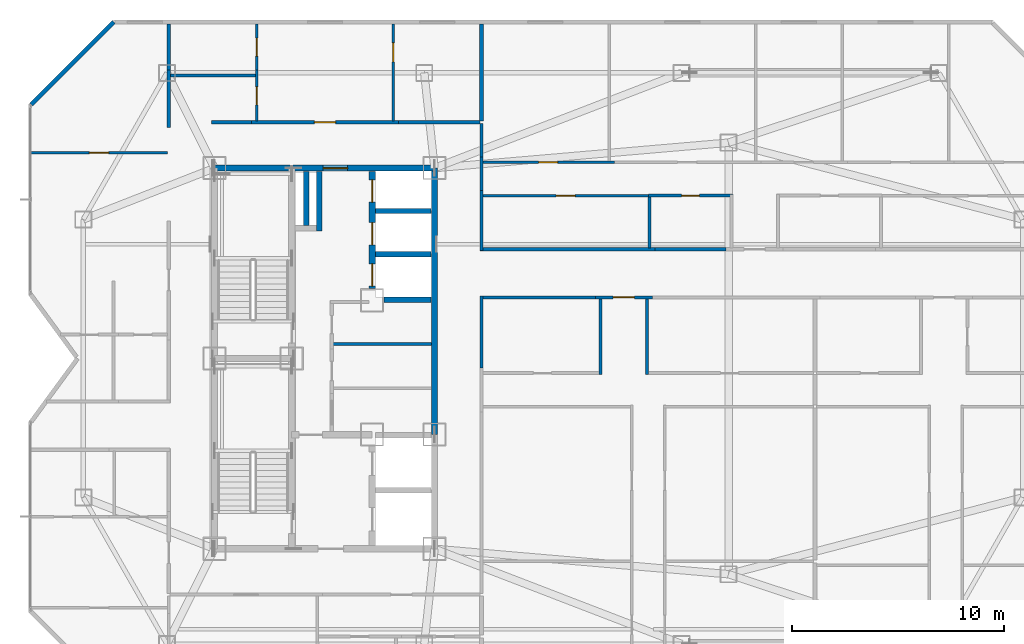
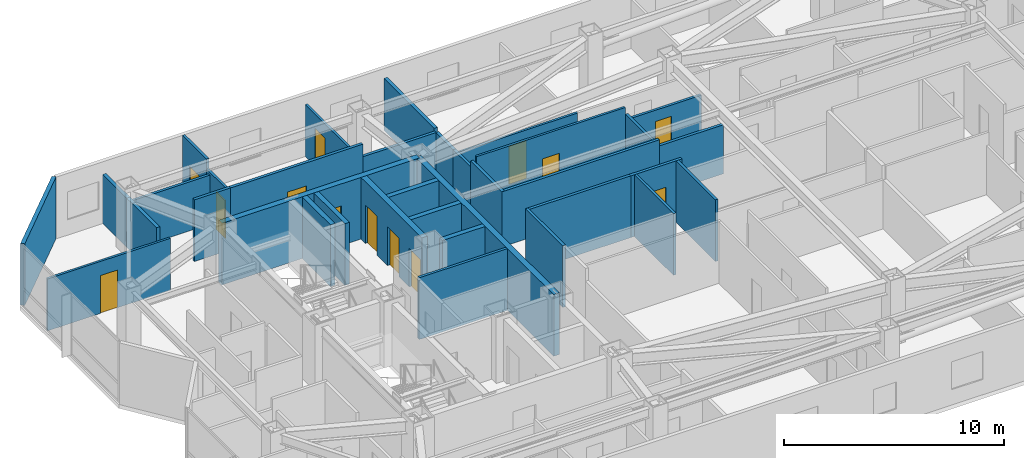
# One storey, part 12 of 15: 35 walls, 13 doors, 13 openings.
"""IFC4 building model written with IfcOpenShell, lengths in metres."""

import ifcopenshell
import ifcopenshell.guid

model = None  # the IFC model being written
_history = None  # IfcOwnerHistory: only IFC2X3 demands one
_inside = {}  # id of a spatial element -> (the spatial element, [elements in it])
_under = {}  # id of a project, library or spatial element -> (it, [spatial elements below it])
_declared = {}  # id of a project -> (the project, [libraries it declares])
_typed = {}  # id of a type object -> (the type object, [elements of that type])
_made_of = {}  # id of a material, layer set ... -> (it, [elements and type objects made of it])


def new_model(schema):
    """Start an empty IFC model of exactly this schema.

    Asked for "IFC4X3", IfcOpenShell would pick the latest addendum, in which some entities
    have other attributes; the version numbers below select the first issue.
    IFC2X3 requires an IfcOwnerHistory on every rooted entity: one is made here for all.
    """
    global model, _history
    if schema == "IFC4X3":
        model = ifcopenshell.file(schema_version=(4, 3, 0, 0))
    else:
        model = ifcopenshell.file(schema=schema)
    _inside.clear()
    _under.clear()
    _declared.clear()
    _typed.clear()
    _made_of.clear()
    _history = None
    if model.schema == "IFC2X3":
        org = make("IfcOrganization", Name="unknown")
        user = make(
            "IfcPersonAndOrganization",
            ThePerson=make("IfcPerson", FamilyName="unknown"),
            TheOrganization=org,
        )
        app = make(
            "IfcApplication",
            ApplicationDeveloper=org,
            Version="unknown",
            ApplicationFullName="unknown",
            ApplicationIdentifier="unknown",
        )
        _history = make(
            "IfcOwnerHistory",
            OwningUser=user,
            OwningApplication=app,
            ChangeAction="ADDED",
            CreationDate=0,
        )
    return model


def make(cls, **values):
    """One entity of the class cls with the attributes given. An attribute that is None is left unset."""
    return model.create_entity(
        cls, **{name: value for name, value in values.items() if value is not None}
    )


def rooted(cls, **values):
    """An entity with a GlobalId (a new one), such as an element, a storey or a relation."""
    return make(cls, GlobalId=ifcopenshell.guid.new(), OwnerHistory=_history, **values)


def si_unit(unit_type, name, prefix=None):
    """IfcSIUnit, for example si_unit("LENGTHUNIT", "METRE", prefix="MILLI")."""
    return make("IfcSIUnit", UnitType=unit_type, Prefix=prefix, Name=name)


def assignment(units):
    """IfcUnitAssignment: the units of a project."""
    return None if units is None else make("IfcUnitAssignment", Units=units)


def point(xyz):
    """IfcCartesianPoint."""
    return None if xyz is None else make("IfcCartesianPoint", Coordinates=xyz)


def direction(xyz):
    """IfcDirection."""
    return None if xyz is None else make("IfcDirection", DirectionRatios=xyz)


def frame(location, z_axis=None, x_axis=None):
    """IfcAxis2Placement3D, a coordinate frame: its origin and axes. An axis left out is left unset."""
    return make(
        "IfcAxis2Placement3D",
        Location=point(location),
        Axis=direction(z_axis),
        RefDirection=direction(x_axis),
    )


def frame_2d(location, x_axis=None):
    """IfcAxis2Placement2D, a coordinate frame in the plane: its origin and x axis."""
    return make(
        "IfcAxis2Placement2D", Location=point(location), RefDirection=direction(x_axis)
    )


def origin():
    """The frame at (0, 0, 0) with its axes left unset."""
    return frame((0.0, 0.0, 0.0))


def place(relative_to, where):
    """IfcLocalPlacement: puts the frame where relative to a parent placement (None: the world)."""
    return make(
        "IfcLocalPlacement", PlacementRelTo=relative_to, RelativePlacement=where
    )


def context(
    kind, dimensions, precision=None, world=None, true_north=None, identifier=None
):
    """IfcGeometricRepresentationContext, for example the 3D "Model" context."""
    return make(
        "IfcGeometricRepresentationContext",
        ContextIdentifier=identifier,
        ContextType=kind,
        CoordinateSpaceDimension=dimensions,
        Precision=precision,
        WorldCoordinateSystem=world,
        TrueNorth=true_north,
    )


def subcontext(parent, identifier, kind, view, scale=None):
    """IfcGeometricRepresentationSubContext, for example "Body" below "Model"."""
    return make(
        "IfcGeometricRepresentationSubContext",
        ContextIdentifier=identifier,
        ContextType=kind,
        ParentContext=parent,
        TargetScale=scale,
        TargetView=view,
    )


def project(units=None, contexts=None):
    """IfcProject with its units and contexts."""
    return rooted(
        "IfcProject",
        Name="project",
        RepresentationContexts=contexts,
        UnitsInContext=assignment(units),
    )


def spatial(cls, under=None, at=None, **own):
    """A site, building, storey or space (cls), placed at a placement, below another one or the project."""
    s = rooted(cls, ObjectPlacement=at, **own)
    if under is not None:
        _under.setdefault(under.id(), (under, []))[1].append(s)
    return s


def profile(cls, at=None, kind="AREA", **sizes):
    """A parametric profile (cls). Its sizes go by their IFC names, for example OverallWidth=200.0."""
    return make(cls, ProfileType=kind, Position=at, **sizes)


def rectangle(**sizes):
    """IfcRectangleProfileDef."""
    return profile("IfcRectangleProfileDef", **sizes)


def extrude(swept, where, along, depth):
    """IfcExtrudedAreaSolid: the profile swept, set in the frame where, extruded along a direction by depth."""
    return make(
        "IfcExtrudedAreaSolid",
        SweptArea=swept,
        Position=where,
        ExtrudedDirection=direction(along),
        Depth=depth,
    )


def shape(context_of_items, identifier, shape_type, items):
    """IfcShapeRepresentation: the items that make up one representation, for example the "Body"."""
    return make(
        "IfcShapeRepresentation",
        ContextOfItems=context_of_items,
        RepresentationIdentifier=identifier,
        RepresentationType=shape_type,
        Items=items,
    )


def material(Name=None, Category=None):
    """IfcMaterial."""
    return make("IfcMaterial", Name=Name, Category=Category)


def layer(
    of_material, thickness, ventilated=None, Name=None, Category=None, Priority=None
):
    """IfcMaterialLayer: one layer of a wall or slab, of a material (None: an air gap)."""
    return make(
        "IfcMaterialLayer",
        Material=of_material,
        LayerThickness=thickness,
        IsVentilated=ventilated,
        Name=Name,
        Category=Category,
        Priority=Priority,
    )


def layer_set(layers, Name=None):
    """IfcMaterialLayerSet."""
    return make("IfcMaterialLayerSet", MaterialLayers=layers, LayerSetName=Name)


def made_of(thing, what):
    """Note that an element or type object is made of a material, layer set ...; save() writes the relation."""
    if what is not None:
        _made_of.setdefault(what.id(), (what, []))[1].append(thing)
    return thing


def type_object(cls, material=None, **own):
    """A type object (cls), such as IfcWallType, which elements share."""
    return made_of(rooted(cls, **own), material)


def element(
    cls,
    number,
    at=None,
    inside=None,
    cuts=None,
    type_object=None,
    material=None,
    context=None,
    identifier="Body",
    shape_type=None,
    held_by="IfcProductDefinitionShape",
    body=None,
    shapes=None,
    **own,
):
    """One element of the class cls, such as IfcWall. Its Tag is "e" and its number.

    at: its placement. inside: the storey or other place that contains it. cuts: it is an
    opening in that element (IfcRelVoidsElement). A single representation is given by context,
    identifier, shape_type and body (its items); several are given by shapes. held_by: the class
    of the entity that holds the representations. save() writes the other relations.
    """
    e = rooted(cls, Tag="e%d" % number, ObjectPlacement=at, **own)
    if body is not None:
        shapes = [shape(context, identifier, shape_type, body)]
    if shapes is not None:
        e.Representation = make(held_by, Representations=shapes)
    if inside is not None:
        _inside.setdefault(inside.id(), (inside, []))[1].append(e)
    if cuts is not None:
        rooted(
            "IfcRelVoidsElement", RelatingBuildingElement=cuts, RelatedOpeningElement=e
        )
    if type_object is not None:
        _typed.setdefault(type_object.id(), (type_object, []))[1].append(e)
    return made_of(e, material)


def fill(opening, filler):
    """IfcRelFillsElement: the door or window that sits in an opening."""
    return rooted(
        "IfcRelFillsElement",
        RelatingOpeningElement=opening,
        RelatedBuildingElement=filler,
    )


def aggregate(whole, parts):
    """IfcRelAggregates: a whole, such as a stair, and the parts it consists of."""
    return rooted("IfcRelAggregates", RelatingObject=whole, RelatedObjects=parts)


def save(model, path):
    """Write the relations noted so far, then the file.

    IfcRelAggregates (storeys below a building ...), IfcRelContainedInSpatialStructure (elements
    in a storey), IfcRelDefinesByType, IfcRelAssociatesMaterial and IfcRelDeclares: one each for
    every whole, place, type object, material and project.
    """
    for whole, parts in _under.values():
        aggregate(whole, parts)
    for where, things in _inside.values():
        rooted(
            "IfcRelContainedInSpatialStructure",
            RelatedElements=things,
            RelatingStructure=where,
        )
    for kind, things in _typed.values():
        rooted("IfcRelDefinesByType", RelatedObjects=things, RelatingType=kind)
    for what, things in _made_of.values():
        rooted("IfcRelAssociatesMaterial", RelatedObjects=things, RelatingMaterial=what)
    for by, libraries in _declared.values():
        rooted("IfcRelDeclares", RelatingContext=by, RelatedDefinitions=libraries)
    model.write(path)


model = new_model("IFC4")

# Units and contexts
model_context = context("Model", 3, precision=1e-05, world=origin(), true_north=direction((0.0, 1.0)))
body_context = subcontext(model_context, "Body", "Model", "MODEL_VIEW")
ifc_project = project(units=[si_unit("LENGTHUNIT", "METRE"), si_unit("AREAUNIT", "SQUARE_METRE"), si_unit("VOLUMEUNIT", "CUBIC_METRE"), si_unit("PLANEANGLEUNIT", "RADIAN"), si_unit("MASSUNIT", "GRAM", prefix="KILO")], contexts=[model_context])

# Site, building, storey
site_placement = place(None, origin())
site = spatial("IfcSite", under=ifc_project, at=site_placement, CompositionType="ELEMENT")
building_placement = place(site_placement, origin())
building = spatial("IfcBuilding", under=site, at=building_placement, Name="Khamvora Tower", CompositionType="ELEMENT")
storey_placement = place(building_placement, frame((0.0, 0.0, 220.85009765625)))
storey = spatial("IfcBuildingStorey", under=building, at=storey_placement, Name="L56", CompositionType="ELEMENT", Elevation=220.85009765625)

# Wall, opening, door
ifc_material_1 = material(Name="Concrete C50/60", Category="concrete")
ifc_layer_1 = layer(ifc_material_1, 0.300048828125)
ifc_layer_set_1 = layer_set([ifc_layer_1], Name="Concrete C50/60")
wall_type_1 = type_object("IfcWallType", Name="WAL-CORE-300", PredefinedType="SHEAR", material=ifc_layer_set_1)
wall_1_placement = place(storey_placement, frame((29.0, 37.0, 0.0), z_axis=(0.0, 0.0, 1.0), x_axis=(1.0, 0.0, 0.0)))
wall_1 = element("IfcWall", 1, at=wall_1_placement, inside=storey, type_object=wall_type_1, Name="L56 central core north wall", PredefinedType="SHEAR", context=body_context, shape_type="SweptSolid", body=[
    extrude(rectangle(XDim=10.39990234375, YDim=0.300048828125, at=frame_2d((5.199951171875, 0.0))), origin(), (0.0, 0.0, 1.0), 3.429931640625),
])
opening_1_placement = place(wall_1_placement, frame((5.139892578125, 0.0, 0.0)))
opening_1 = element("IfcOpeningElement", 2, at=opening_1_placement, cuts=wall_1, Name="Opening D-SC1", PredefinedType="OPENING", context=body_context, shape_type="SweptSolid", body=[
    extrude(rectangle(XDim=1.14990234375, YDim=2.199951171875, at=frame_2d((0.574951171875, 1.10009765625))), frame((0.0, 0.159912109375, 0.0), z_axis=(0.0, -1.0, 0.0), x_axis=(1.0, 0.0, 0.0)), (0.0, 0.0, 1.0), 0.320068359375),
])
ifc_material_2 = material(Name="Powder-Coated Steel and Hardwood Leaf", Category="steel")
door_type_1 = type_object("IfcDoorType", Name="DOR-SCHL-1150", OperationType="NOTDEFINED", PredefinedType="DOOR", material=ifc_material_2)
door_1_placement = place(opening_1_placement, origin())
door_1 = element("IfcDoor", 3, at=door_1_placement, inside=storey, type_object=door_type_1, Name="L56 north core lobby to corridor fire door", OperationType="SINGLE_SWING_LEFT", OverallHeight=2.199951171875, OverallWidth=1.14990234375, PredefinedType="DOOR", context=body_context, shape_type="SweptSolid", body=[
    extrude(rectangle(XDim=1.14990234375, YDim=2.199951171875, at=frame_2d((0.574951171875, 1.10009765625))), frame((0.0, 0.02490234375, 0.0), z_axis=(0.0, -1.0, 0.0), x_axis=(1.0, 0.0, 0.0)), (0.0, 0.0, 1.0), 0.050048828125),
])
fill(opening_1, door_1)

# Wall
wall_2_placement = place(storey_placement, frame((39.39990234375, 24.39990234375, 0.0), z_axis=(0.0, 0.0, 1.0), x_axis=(0.0, 1.0, 0.0)))
element("IfcWall", 4, at=wall_2_placement, inside=storey, type_object=wall_type_1, Name="L56 central core east north wall", PredefinedType="SHEAR", context=body_context, shape_type="SweptSolid", body=[
    extrude(rectangle(XDim=12.60009765625, YDim=0.300048828125, at=frame_2d((6.300048828125, 0.0))), origin(), (0.0, 0.0, 1.0), 3.429931640625),
])

# Wall, openings, doors
wall_3_placement = place(storey_placement, frame((36.449951171875, 31.300048828125, 0.0), z_axis=(0.0, 0.0, 1.0), x_axis=(0.0, 1.0, 0.0)))
wall_3 = element("IfcWall", 5, at=wall_3_placement, inside=storey, type_object=wall_type_1, Name="L56 central core lift bank central wall", PredefinedType="SHEAR", context=body_context, shape_type="SweptSolid", body=[
    extrude(rectangle(XDim=5.5458984375, YDim=0.300048828125, at=frame_2d((2.77294921875, 0.0))), origin(), (0.0, 0.0, 1.0), 3.429931640625),
])
opening_2_placement = place(wall_3_placement, frame((0.1201171875, 0.0, 0.0)))
opening_2 = element("IfcOpeningElement", 6, at=opening_2_placement, cuts=wall_3, Name="Opening LD-PL", PredefinedType="OPENING", context=body_context, shape_type="SweptSolid", body=[
    extrude(rectangle(XDim=1.050048828125, YDim=2.14990234375, at=frame_2d((0.52490234375, 1.074951171875))), frame((0.0, 0.159912109375, 0.0), z_axis=(0.0, -1.0, 0.0), x_axis=(1.0, 0.0, 0.0)), (0.0, 0.0, 1.0), 0.320068359375),
])
opening_3_placement = place(wall_3_placement, frame((2.074951171875, 0.0, 0.0)))
opening_3 = element("IfcOpeningElement", 7, at=opening_3_placement, cuts=wall_3, Name="Opening LD-PL", PredefinedType="OPENING", context=body_context, shape_type="SweptSolid", body=[
    extrude(rectangle(XDim=1.050048828125, YDim=2.14990234375, at=frame_2d((0.52490234375, 1.074951171875))), frame((0.0, 0.159912109375, 0.0), z_axis=(0.0, -1.0, 0.0), x_axis=(1.0, 0.0, 0.0)), (0.0, 0.0, 1.0), 0.320068359375),
])
opening_4_placement = place(wall_3_placement, frame((4.094970703125, 0.0, 0.0)))
opening_4 = element("IfcOpeningElement", 8, at=opening_4_placement, cuts=wall_3, Name="Opening LD-PL", PredefinedType="OPENING", context=body_context, shape_type="SweptSolid", body=[
    extrude(rectangle(XDim=1.050048828125, YDim=2.14990234375, at=frame_2d((0.52490234375, 1.074951171875))), frame((0.0, 0.159912109375, 0.0), z_axis=(0.0, -1.0, 0.0), x_axis=(1.0, 0.0, 0.0)), (0.0, 0.0, 1.0), 0.320068359375),
])
door_type_2 = type_object("IfcDoorType", Name="DOR-LIFT-1050", OperationType="SLIDING_TO_LEFT", PredefinedType="DOOR", material=ifc_material_2)
door_2_placement = place(opening_2_placement, origin())
door_2 = element("IfcDoor", 9, at=door_2_placement, inside=storey, type_object=door_type_2, Name="L56 lift landing sliding door PH-01", OperationType="SLIDING_TO_LEFT", OverallHeight=2.14990234375, OverallWidth=1.050048828125, PredefinedType="DOOR", context=body_context, shape_type="SweptSolid", body=[
    extrude(rectangle(XDim=1.050048828125, YDim=2.14990234375, at=frame_2d((0.52490234375, 1.074951171875))), frame((0.0, 0.02490234375, 0.0), z_axis=(0.0, -1.0, 0.0), x_axis=(1.0, 0.0, 0.0)), (0.0, 0.0, 1.0), 0.050048828125),
])
fill(opening_2, door_2)
door_3_placement = place(opening_3_placement, origin())
door_3 = element("IfcDoor", 10, at=door_3_placement, inside=storey, type_object=door_type_2, Name="L56 lift landing sliding door PH-02", OperationType="SLIDING_TO_LEFT", OverallHeight=2.14990234375, OverallWidth=1.050048828125, PredefinedType="DOOR", context=body_context, shape_type="SweptSolid", body=[
    extrude(rectangle(XDim=1.050048828125, YDim=2.14990234375, at=frame_2d((0.52490234375, 1.074951171875))), frame((0.0, 0.02490234375, 0.0), z_axis=(0.0, -1.0, 0.0), x_axis=(1.0, 0.0, 0.0)), (0.0, 0.0, 1.0), 0.050048828125),
])
fill(opening_3, door_3)
door_4_placement = place(opening_4_placement, origin())
door_4 = element("IfcDoor", 11, at=door_4_placement, inside=storey, type_object=door_type_2, Name="L56 lift landing sliding door PH-03", OperationType="SLIDING_TO_LEFT", OverallHeight=2.14990234375, OverallWidth=1.050048828125, PredefinedType="DOOR", context=body_context, shape_type="SweptSolid", body=[
    extrude(rectangle(XDim=1.050048828125, YDim=2.14990234375, at=frame_2d((0.52490234375, 1.074951171875))), frame((0.0, 0.02490234375, 0.0), z_axis=(0.0, -1.0, 0.0), x_axis=(1.0, 0.0, 0.0)), (0.0, 0.0, 1.0), 0.050048828125),
])
fill(opening_4, door_4)

# Wall, opening, door
ifc_material_3 = material(Name="Fire-Rated Drywall and Steel Stud", Category="steel")
ifc_layer_2 = layer(ifc_material_3, 0.14990234375)
ifc_layer_set_2 = layer_set([ifc_layer_2], Name="Fire-Rated Drywall and Steel Stud")
wall_type_2 = type_object("IfcWallType", Name="WAL-CORR-150", PredefinedType="STANDARD", material=ifc_layer_set_2)
wall_4_placement = place(storey_placement, frame((30.7509765625, 39.1650390625, 0.0), z_axis=(0.0, 0.0, 1.0), x_axis=(1.0, 0.0, 0.0)))
wall_4 = element("IfcWall", 12, at=wall_4_placement, inside=storey, type_object=wall_type_2, Name="L56 interior partition wall 017", PredefinedType="STANDARD", context=body_context, shape_type="SweptSolid", body=[
    extrude(rectangle(XDim=6.947998046875, YDim=0.14990234375, at=frame_2d((3.47412109375, 0.0))), origin(), (0.0, 0.0, 1.0), 3.429931640625),
])
opening_5_placement = place(wall_4_placement, frame((2.97412109375, 0.0, 0.0)))
opening_5 = element("IfcOpeningElement", 13, at=opening_5_placement, cuts=wall_4, Name="Opening D-U1", PredefinedType="OPENING", context=body_context, shape_type="SweptSolid", body=[
    extrude(rectangle(XDim=1.0, YDim=2.14990234375, at=frame_2d((0.5, 1.074951171875))), frame((0.0, 0.0849609375, 0.0), z_axis=(0.0, -1.0, 0.0), x_axis=(1.0, 0.0, 0.0)), (0.0, 0.0, 1.0), 0.169921875),
])
door_type_3 = type_object("IfcDoorType", Name="DOR-UNIT-1000", OperationType="NOTDEFINED", PredefinedType="DOOR", material=ifc_material_2)
door_5_placement = place(opening_5_placement, origin())
door_5 = element("IfcDoor", 14, at=door_5_placement, inside=storey, type_object=door_type_3, Name="L56 interior door COR-56NAH", OperationType="SINGLE_SWING_LEFT", OverallHeight=2.14990234375, OverallWidth=1.0, PredefinedType="DOOR", context=body_context, shape_type="SweptSolid", body=[
    extrude(rectangle(XDim=1.0, YDim=2.14990234375, at=frame_2d((0.5, 1.074951171875))), frame((0.0, 0.02490234375, 0.0), z_axis=(0.0, -1.0, 0.0), x_axis=(1.0, 0.0, 0.0)), (0.0, 0.0, 1.0), 0.050048828125),
])
fill(opening_5, door_5)

# Walls
wall_5_placement = place(storey_placement, frame((28.85009765625, 39.1650390625, 0.0), z_axis=(0.0, 0.0, 1.0), x_axis=(1.0, 0.0, 0.0)))
element("IfcWall", 15, at=wall_5_placement, inside=storey, type_object=wall_type_2, Name="L56 interior partition wall 018", PredefinedType="STANDARD", context=body_context, shape_type="SweptSolid", body=[
    extrude(rectangle(XDim=1.90087890625, YDim=0.14990234375, at=frame_2d((0.950439453125, 0.0))), origin(), (0.0, 0.0, 1.0), 3.429931640625),
])
wall_6_placement = place(storey_placement, frame((37.698974609375, 39.1650390625, 0.0), z_axis=(0.0, 0.0, 1.0), x_axis=(1.0, 0.0, 0.0)))
element("IfcWall", 16, at=wall_6_placement, inside=storey, type_object=wall_type_2, Name="L56 interior partition wall 019", PredefinedType="STANDARD", context=body_context, shape_type="SweptSolid", body=[
    extrude(rectangle(XDim=3.85107421875, YDim=0.14990234375, at=frame_2d((1.925537109375, 0.0))), origin(), (0.0, 0.0, 1.0), 2.724853515625),
])

# Wall, opening, door
wall_7_placement = place(storey_placement, frame((49.698974609375, 30.885009765625, 0.0), z_axis=(0.0, 0.0, 1.0), x_axis=(-1.0, 0.0, 0.0)))
wall_7 = element("IfcWall", 17, at=wall_7_placement, inside=storey, type_object=wall_type_2, Name="L56 interior partition wall 020", PredefinedType="STANDARD", context=body_context, shape_type="SweptSolid", body=[
    extrude(rectangle(XDim=2.697998046875, YDim=0.14990234375, at=frame_2d((1.34912109375, 0.0))), origin(), (0.0, 0.0, 1.0), 3.429931640625),
])
opening_6_placement = place(wall_7_placement, frame((0.84912109375, 0.0, 0.0)))
opening_6 = element("IfcOpeningElement", 18, at=opening_6_placement, cuts=wall_7, Name="Opening D-U1", PredefinedType="OPENING", context=body_context, shape_type="SweptSolid", body=[
    extrude(rectangle(XDim=1.0, YDim=2.14990234375, at=frame_2d((0.5, 1.074951171875))), frame((0.0, 0.0849609375, 0.0), z_axis=(0.0, -1.0, 0.0), x_axis=(1.0, 0.0, 0.0)), (0.0, 0.0, 1.0), 0.169921875),
])
door_6_placement = place(opening_6_placement, origin())
door_6 = element("IfcDoor", 19, at=door_6_placement, inside=storey, type_object=door_type_3, Name="L56 interior door COR-56EAH", OperationType="SINGLE_SWING_RIGHT", OverallHeight=2.14990234375, OverallWidth=1.0, PredefinedType="DOOR", context=body_context, shape_type="SweptSolid", body=[
    extrude(rectangle(XDim=1.0, YDim=2.14990234375, at=frame_2d((0.5, 1.074951171875))), frame((0.0, 0.02490234375, 0.0), z_axis=(0.0, -1.0, 0.0), x_axis=(1.0, 0.0, 0.0)), (0.0, 0.0, 1.0), 0.050048828125),
])
fill(opening_6, door_6)

# Walls
wall_8_placement = place(storey_placement, frame((47.0009765625, 30.885009765625, 0.0), z_axis=(0.0, 0.0, 1.0), x_axis=(-1.0, 0.0, 0.0)))
element("IfcWall", 20, at=wall_8_placement, inside=storey, type_object=wall_type_2, Name="L56 interior partition wall 022", PredefinedType="STANDARD", context=body_context, shape_type="SweptSolid", body=[
    extrude(rectangle(XDim=5.450927734375, YDim=0.14990234375, at=frame_2d((2.7255859375, 0.0))), origin(), (0.0, 0.0, 1.0), 3.429931640625),
])
wall_9_placement = place(storey_placement, frame((41.614990234375, 30.947998046875, 0.0), z_axis=(0.0, 0.0, 1.0), x_axis=(0.0, -1.0, 0.0)))
element("IfcWall", 21, at=wall_9_placement, inside=storey, type_object=wall_type_2, Name="L56 interior partition wall 023", PredefinedType="STANDARD", context=body_context, shape_type="SweptSolid", body=[
    extrude(rectangle(XDim=3.39404296875, YDim=0.14990234375, at=frame_2d((1.697021484375, 0.0))), origin(), (0.0, 0.0, 1.0), 3.429931640625),
])
wall_10_placement = place(storey_placement, frame((41.614990234375, 35.944091796875, 0.0), z_axis=(0.0, 0.0, 1.0), x_axis=(0.0, -1.0, 0.0)))
element("IfcWall", 22, at=wall_10_placement, inside=storey, type_object=wall_type_2, Name="L56 interior partition wall 030", PredefinedType="STANDARD", context=body_context, shape_type="SweptSolid", body=[
    extrude(rectangle(XDim=2.843994140625, YDim=0.14990234375, at=frame_2d((1.421875, 0.0))), origin(), (0.0, 0.0, 1.0), 3.06494140625),
])
wall_11_placement = place(storey_placement, frame((41.550048828125, 33.1650390625, 0.0), z_axis=(0.0, 0.0, 1.0), x_axis=(1.0, 0.0, 0.0)))
element("IfcWall", 23, at=wall_11_placement, inside=storey, type_object=wall_type_2, Name="L56 interior partition wall 031", PredefinedType="STANDARD", context=body_context, shape_type="SweptSolid", body=[
    extrude(rectangle(XDim=8.26904296875, YDim=0.14990234375, at=frame_2d((4.134521484375, 0.0))), origin(), (0.0, 0.0, 1.0), 3.06494140625),
])
wall_12_placement = place(storey_placement, frame((41.614990234375, 37.52392578125, 0.0), z_axis=(0.0, 0.0, 1.0), x_axis=(0.0, -1.0, 0.0)))
element("IfcWall", 24, at=wall_12_placement, inside=storey, type_object=wall_type_2, Name="L56 interior partition wall 033", PredefinedType="STANDARD", context=body_context, shape_type="SweptSolid", body=[
    extrude(rectangle(XDim=1.579833984375, YDim=0.14990234375, at=frame_2d((0.7900390625, 0.0))), origin(), (0.0, 0.0, 1.0), 2.724853515625),
])
wall_13_placement = place(storey_placement, frame((49.819091796875, 33.1650390625, 0.0), z_axis=(0.0, 0.0, 1.0), x_axis=(1.0, 0.0, 0.0)))
element("IfcWall", 25, at=wall_13_placement, inside=storey, type_object=wall_type_2, Name="L56 interior partition wall 035", PredefinedType="STANDARD", context=body_context, shape_type="SweptSolid", body=[
    extrude(rectangle(XDim=3.366943359375, YDim=0.14990234375, at=frame_2d((1.68359375, 0.0))), origin(), (0.0, 0.0, 1.0), 2.724853515625),
])
wall_14_placement = place(storey_placement, frame((41.614990234375, 39.10009765625, 0.0), z_axis=(0.0, 0.0, 1.0), x_axis=(0.0, -1.0, 0.0)))
element("IfcWall", 26, at=wall_14_placement, inside=storey, type_object=wall_type_2, Name="L56 interior partition wall 037", PredefinedType="STANDARD", context=body_context, shape_type="SweptSolid", body=[
    extrude(rectangle(XDim=1.576171875, YDim=0.14990234375, at=frame_2d((0.7880859375, 0.0))), origin(), (0.0, 0.0, 1.0), 2.724853515625),
])
ifc_material_4 = material(Name="Acoustic Double-Stud Fire Wall", Category="gypsum")
ifc_layer_3 = layer(ifc_material_4, 0.179931640625)
ifc_layer_set_3 = layer_set([ifc_layer_3], Name="Acoustic Double-Stud Fire Wall")
wall_type_3 = type_object("IfcWallType", Name="WAL-CORR-180", PredefinedType="STANDARD", material=ifc_layer_set_3)
wall_15_placement = place(storey_placement, frame((26.8349609375, 41.62890625, 0.0), z_axis=(0.0, 0.0, 1.0), x_axis=(0.0, -1.0, 0.0)))
element("IfcWall", 27, at=wall_15_placement, inside=storey, type_object=wall_type_3, Name="L56 interior partition wall 050", PredefinedType="STANDARD", context=body_context, shape_type="SweptSolid", body=[
    extrude(rectangle(XDim=2.712890625, YDim=0.179931640625, at=frame_2d((1.3564453125, 0.0))), origin(), (0.0, 0.0, 1.0), 2.724853515625),
])
wall_16_placement = place(storey_placement, frame((26.8349609375, 43.80810546875, 0.0), z_axis=(0.0, 0.0, 1.0), x_axis=(0.0, -1.0, 0.0)))
element("IfcWall", 28, at=wall_16_placement, inside=storey, type_object=wall_type_3, Name="L56 interior partition wall 051", PredefinedType="STANDARD", context=body_context, shape_type="SweptSolid", body=[
    extrude(rectangle(XDim=2.17919921875, YDim=0.179931640625, at=frame_2d((1.089599609375, 0.0))), origin(), (0.0, 0.0, 1.0), 2.724853515625),
])
wall_17_placement = place(storey_placement, frame((41.614990234375, 43.80810546875, 0.0), z_axis=(0.0, 0.0, 1.0), x_axis=(0.0, -1.0, 0.0)))
element("IfcWall", 29, at=wall_17_placement, inside=storey, type_object=wall_type_3, Name="L56 interior partition wall 061", PredefinedType="STANDARD", context=body_context, shape_type="SweptSolid", body=[
    extrude(rectangle(XDim=4.578125, YDim=0.179931640625, at=frame_2d((2.2890625, 0.0))), origin(), (0.0, 0.0, 1.0), 2.886962890625),
])
ifc_material_5 = material(Name="Precast concrete C40/50", Category="concrete")
ifc_layer_4 = layer(ifc_material_5, 0.199951171875)
ifc_layer_set_4 = layer_set([ifc_layer_4], Name="Precast concrete C40/50")
wall_type_4 = type_object("IfcWallType", Name="WAL-EXT-200", PredefinedType="STANDARD", material=ifc_layer_set_4)
wall_18_placement = place(storey_placement, frame((20.343994140625, 40.0029296875, 0.0), z_axis=(0.0, 0.0, 1.0), x_axis=(0.707106781187, 0.707106781187, 0.0)))
element("IfcWall", 30, at=wall_18_placement, inside=storey, type_object=wall_type_4, Name="L56 exterior facade wall 06.1", PredefinedType="STANDARD", context=body_context, shape_type="SweptSolid", body=[
    extrude(rectangle(XDim=5.51123046875, YDim=0.199951171875, at=frame_2d((2.755615234375, 0.0))), origin(), (0.0, 0.0, 1.0), 3.429931640625),
])

# Wall, opening, door
ifc_material_6 = material(Name="Gypsum Plasterboard Partition", Category="gypsum")
ifc_layer_5 = layer(ifc_material_6, 0.1201171875)
ifc_layer_set_5 = layer_set([ifc_layer_5], Name="Gypsum Plasterboard Partition")
wall_type_5 = type_object("IfcWallType", Name="WAL-PART-120", PredefinedType="PARTITIONING", material=ifc_layer_set_5)
wall_19_placement = place(storey_placement, frame((20.31005859375, 37.72998046875, 0.0), z_axis=(0.0, 0.0, 1.0), x_axis=(1.0, 0.0, 0.0)))
wall_19 = element("IfcWall", 31, at=wall_19_placement, inside=storey, type_object=wall_type_5, Name="L56 interior partition wall 048", PredefinedType="PARTITIONING", context=body_context, shape_type="SweptSolid", body=[
    extrude(rectangle(XDim=6.4599609375, YDim=0.1201171875, at=frame_2d((3.22998046875, 0.0))), origin(), (0.0, 0.0, 1.0), 2.886962890625),
])
opening_7_placement = place(wall_19_placement, frame((2.780029296875, 0.0, 0.0)))
opening_7 = element("IfcOpeningElement", 32, at=opening_7_placement, cuts=wall_19, Name="Opening D-RM1", PredefinedType="OPENING", context=body_context, shape_type="SweptSolid", body=[
    extrude(rectangle(XDim=0.89990234375, YDim=2.10009765625, at=frame_2d((0.449951171875, 1.050048828125))), frame((0.0, 0.070068359375, 0.0), z_axis=(0.0, -1.0, 0.0), x_axis=(1.0, 0.0, 0.0)), (0.0, 0.0, 1.0), 0.14013671875),
])
door_type_4 = type_object("IfcDoorType", Name="DOR-ROOM-900", OperationType="NOTDEFINED", PredefinedType="DOOR", material=ifc_material_2)
door_7_placement = place(opening_7_placement, origin())
door_7 = element("IfcDoor", 33, at=door_7_placement, inside=storey, type_object=door_type_4, Name="L56 interior door 56WCH-56WCR1", OperationType="SINGLE_SWING_LEFT", OverallHeight=2.10009765625, OverallWidth=0.89990234375, PredefinedType="DOOR", context=body_context, shape_type="SweptSolid", body=[
    extrude(rectangle(XDim=0.89990234375, YDim=2.10009765625, at=frame_2d((0.449951171875, 1.050048828125))), frame((0.0, 0.02490234375, 0.0), z_axis=(0.0, -1.0, 0.0), x_axis=(1.0, 0.0, 0.0)), (0.0, 0.0, 1.0), 0.050048828125),
])
fill(opening_7, door_7)

wall_20_placement = place(storey_placement, frame((37.449951171875, 43.80810546875, 0.0), z_axis=(0.0, 0.0, 1.0), x_axis=(0.0, -1.0, 0.0)))
wall_20 = element("IfcWall", 34, at=wall_20_placement, inside=storey, type_object=wall_type_5, Name="L56 interior partition wall 059", PredefinedType="PARTITIONING", context=body_context, shape_type="SweptSolid", body=[
    extrude(rectangle(XDim=4.576171875, YDim=0.1201171875, at=frame_2d((2.2880859375, 0.0))), origin(), (0.0, 0.0, 1.0), 2.886962890625),
])
opening_8_placement = place(wall_20_placement, frame((0.884033203125, 0.0, 0.0)))
opening_8 = element("IfcOpeningElement", 35, at=opening_8_placement, cuts=wall_20, Name="Opening D-RM1", PredefinedType="OPENING", context=body_context, shape_type="SweptSolid", body=[
    extrude(rectangle(XDim=0.89990234375, YDim=2.10009765625, at=frame_2d((0.449951171875, 1.050048828125))), frame((0.0, 0.070068359375, 0.0), z_axis=(0.0, -1.0, 0.0), x_axis=(1.0, 0.0, 0.0)), (0.0, 0.0, 1.0), 0.14013671875),
])
door_8_placement = place(opening_8_placement, origin())
door_8 = element("IfcDoor", 36, at=door_8_placement, inside=storey, type_object=door_type_4, Name="L56 interior door 56NAH-56NAR1", OperationType="SINGLE_SWING_RIGHT", OverallHeight=2.10009765625, OverallWidth=0.89990234375, PredefinedType="DOOR", context=body_context, shape_type="SweptSolid", body=[
    extrude(rectangle(XDim=0.89990234375, YDim=2.10009765625, at=frame_2d((0.449951171875, 1.050048828125))), frame((0.0, 0.02490234375, 0.0), z_axis=(0.0, -1.0, 0.0), x_axis=(1.0, 0.0, 0.0)), (0.0, 0.0, 1.0), 0.050048828125),
])
fill(opening_8, door_8)

wall_21_placement = place(storey_placement, frame((41.681884765625, 35.695068359375, 0.0), z_axis=(0.0, 0.0, 1.0), x_axis=(1.0, 0.0, 0.0)))
wall_21 = element("IfcWall", 37, at=wall_21_placement, inside=storey, type_object=wall_type_5, Name="L56 interior partition wall 090", PredefinedType="PARTITIONING", context=body_context, shape_type="SweptSolid", body=[
    extrude(rectangle(XDim=7.822998046875, YDim=0.1201171875, at=frame_2d((3.91162109375, 0.0))), origin(), (0.0, 0.0, 1.0), 3.429931640625),
])
opening_9_placement = place(wall_21_placement, frame((3.4619140625, 0.0, 0.0)))
opening_9 = element("IfcOpeningElement", 38, at=opening_9_placement, cuts=wall_21, Name="Opening D-RM1", PredefinedType="OPENING", context=body_context, shape_type="SweptSolid", body=[
    extrude(rectangle(XDim=0.89990234375, YDim=2.10009765625, at=frame_2d((0.449951171875, 1.050048828125))), frame((0.0, 0.070068359375, 0.0), z_axis=(0.0, -1.0, 0.0), x_axis=(1.0, 0.0, 0.0)), (0.0, 0.0, 1.0), 0.14013671875),
])
door_9_placement = place(opening_9_placement, origin())
door_9 = element("IfcDoor", 39, at=door_9_placement, inside=storey, type_object=door_type_4, Name="L56 interior door 56ECW1-56ECH", OperationType="SINGLE_SWING_RIGHT", OverallHeight=2.10009765625, OverallWidth=0.89990234375, PredefinedType="DOOR", context=body_context, shape_type="SweptSolid", body=[
    extrude(rectangle(XDim=0.89990234375, YDim=2.10009765625, at=frame_2d((0.449951171875, 1.050048828125))), frame((0.0, 0.02490234375, 0.0), z_axis=(0.0, -1.0, 0.0), x_axis=(1.0, 0.0, 0.0)), (0.0, 0.0, 1.0), 0.050048828125),
])
fill(opening_9, door_9)

wall_22_placement = place(storey_placement, frame((41.681884765625, 37.27490234375, 0.0), z_axis=(0.0, 0.0, 1.0), x_axis=(1.0, 0.0, 0.0)))
wall_22 = element("IfcWall", 40, at=wall_22_placement, inside=storey, type_object=wall_type_5, Name="L56 interior partition wall 098", PredefinedType="PARTITIONING", context=body_context, shape_type="SweptSolid", body=[
    extrude(rectangle(XDim=6.22607421875, YDim=0.1201171875, at=frame_2d((3.113037109375, 0.0))), origin(), (0.0, 0.0, 1.0), 2.724853515625),
])
opening_10_placement = place(wall_22_placement, frame((2.64208984375, 0.0, 0.0)))
opening_10 = element("IfcOpeningElement", 41, at=opening_10_placement, cuts=wall_22, Name="Opening D-RM1", PredefinedType="OPENING", context=body_context, shape_type="SweptSolid", body=[
    extrude(rectangle(XDim=0.89990234375, YDim=2.10009765625, at=frame_2d((0.449951171875, 1.050048828125))), frame((0.0, 0.070068359375, 0.0), z_axis=(0.0, -1.0, 0.0), x_axis=(1.0, 0.0, 0.0)), (0.0, 0.0, 1.0), 0.14013671875),
])
door_10_placement = place(opening_10_placement, origin())
door_10 = element("IfcDoor", 42, at=door_10_placement, inside=storey, type_object=door_type_4, Name="L56 interior door 56ECH-56ECR1", OperationType="SINGLE_SWING_RIGHT", OverallHeight=2.10009765625, OverallWidth=0.89990234375, PredefinedType="DOOR", context=body_context, shape_type="SweptSolid", body=[
    extrude(rectangle(XDim=0.89990234375, YDim=2.10009765625, at=frame_2d((0.449951171875, 1.050048828125))), frame((0.0, 0.02490234375, 0.0), z_axis=(0.0, -1.0, 0.0), x_axis=(1.0, 0.0, 0.0)), (0.0, 0.0, 1.0), 0.050048828125),
])
fill(opening_10, door_10)

# Walls
ifc_material_7 = material(Name="Concrete C40/50", Category="concrete")
ifc_layer_6 = layer(ifc_material_7, 0.25)
ifc_layer_set_6 = layer_set([ifc_layer_6], Name="Concrete C40/50")
wall_type_6 = type_object("IfcWallType", Name="WAL-PODS-250", PredefinedType="SHEAR", material=ifc_layer_set_6)
wall_23_placement = place(storey_placement, frame((37.00390625, 30.77490234375, 0.0), z_axis=(0.0, 0.0, 1.0), x_axis=(1.0, 0.0, 0.0)))
element("IfcWall", 43, at=wall_23_placement, inside=storey, type_object=wall_type_6, Name="L56 high-rise lift shaft south enclosure wall PH-01", PredefinedType="SHEAR", context=body_context, shape_type="SweptSolid", body=[
    extrude(rectangle(XDim=2.2421875, YDim=0.25, at=frame_2d((1.12109375, 0.0))), origin(), (0.0, 0.0, 1.0), 3.429931640625),
])
for number, where, z_axis, x_axis, name in (
    (44, (36.60400390625, 32.925048828125, 0.0), (0.0, 0.0, 1.0), (1.0, 0.0, 0.0), "L56 lift shaft divider wall PH-01"),
    (45, (36.60400390625, 34.97509765625, 0.0), (0.0, 0.0, 1.0), (1.0, 0.0, 0.0), "L56 lift shaft divider wall PH-02"),
):
    element("IfcWall", number, at=place(storey_placement, frame(where, z_axis=z_axis, x_axis=x_axis)), inside=storey, type_object=wall_type_6, Name=name, PredefinedType="SHEAR", context=body_context, shape_type="SweptSolid", body=[
        extrude(rectangle(XDim=2.64208984375, YDim=0.25, at=frame_2d((1.321044921875, 0.0))), origin(), (0.0, 0.0, 1.0), 3.429931640625),
    ])
wall_24_placement = place(storey_placement, frame((33.955078125, 34.02490234375, 0.0), z_axis=(0.0, 0.0, 1.0), x_axis=(0.0, 1.0, 0.0)))
element("IfcWall", 46, at=wall_24_placement, inside=storey, type_object=wall_type_6, Name="L56 vertical MEP riser shaft east enclosure wall", PredefinedType="SHEAR", context=body_context, shape_type="SweptSolid", body=[
    extrude(rectangle(XDim=2.821044921875, YDim=0.25, at=frame_2d((1.41064453125, 0.0))), origin(), (0.0, 0.0, 1.0), 3.429931640625),
])
wall_25_placement = place(storey_placement, frame((33.340087890625, 34.279052734375, 0.0), z_axis=(0.0, 0.0, 1.0), x_axis=(0.0, 1.0, 0.0)))
element("IfcWall", 47, at=wall_25_placement, inside=storey, type_object=wall_type_6, Name="L56 vertical MEP riser shaft divider enclosure wall", PredefinedType="SHEAR", context=body_context, shape_type="SweptSolid", body=[
    extrude(rectangle(XDim=2.56689453125, YDim=0.25, at=frame_2d((1.283447265625, 0.0))), origin(), (0.0, 0.0, 1.0), 3.429931640625),
])
ifc_material_8 = material(Name="Moisture-Resistant Plasterboard Partition", Category="gypsum")
ifc_layer_7 = layer(ifc_material_8, 0.135009765625)
ifc_layer_set_7 = layer_set([ifc_layer_7], Name="Moisture-Resistant Plasterboard Partition")
wall_type_7 = type_object("IfcWallType", Name="WAL-WET-135", PredefinedType="PARTITIONING", material=ifc_layer_set_7)
wall_26_placement = place(storey_placement, frame((39.256103515625, 28.68505859375, 0.0), z_axis=(0.0, 0.0, 1.0), x_axis=(-1.0, 0.0, 0.0)))
element("IfcWall", 48, at=wall_26_placement, inside=storey, type_object=wall_type_7, Name="L56 interior partition wall 005", PredefinedType="PARTITIONING", context=body_context, shape_type="SweptSolid", body=[
    extrude(rectangle(XDim=4.64404296875, YDim=0.135009765625, at=frame_2d((2.322021484375, 0.0))), origin(), (0.0, 0.0, 1.0), 3.429931640625),
])

# Wall, opening, door
wall_27_placement = place(storey_placement, frame((31.0, 39.23193359375, 0.0), z_axis=(0.0, 0.0, 1.0), x_axis=(0.0, 1.0, 0.0)))
wall_27 = element("IfcWall", 49, at=wall_27_placement, inside=storey, type_object=wall_type_7, Name="L56 interior partition wall 057", PredefinedType="PARTITIONING", context=body_context, shape_type="SweptSolid", body=[
    extrude(rectangle(XDim=2.39697265625, YDim=0.135009765625, at=frame_2d((1.198486328125, 0.0))), origin(), (0.0, 0.0, 1.0), 2.886962890625),
])
opening_11_placement = place(wall_27_placement, frame((0.751953125, 0.0, 0.0)))
opening_11 = element("IfcOpeningElement", 50, at=opening_11_placement, cuts=wall_27, Name="Opening D-WC1", PredefinedType="OPENING", context=body_context, shape_type="SweptSolid", body=[
    extrude(rectangle(XDim=0.85009765625, YDim=2.10009765625, at=frame_2d((0.425048828125, 1.050048828125))), frame((0.0, 0.077392578125, 0.0), z_axis=(0.0, -1.0, 0.0), x_axis=(1.0, 0.0, 0.0)), (0.0, 0.0, 1.0), 0.155029296875),
])
door_type_5 = type_object("IfcDoorType", Name="DOR-WET-850", OperationType="NOTDEFINED", PredefinedType="DOOR", material=ifc_material_2)
door_11_placement = place(opening_11_placement, origin())
door_11 = element("IfcDoor", 51, at=door_11_placement, inside=storey, type_object=door_type_5, Name="L56 interior door 56NAH-56NAB", OperationType="SINGLE_SWING_LEFT", OverallHeight=2.10009765625, OverallWidth=0.85009765625, PredefinedType="DOOR", context=body_context, shape_type="SweptSolid", body=[
    extrude(rectangle(XDim=0.85009765625, YDim=2.10009765625, at=frame_2d((0.425048828125, 1.050048828125))), frame((0.0, 0.02490234375, 0.0), z_axis=(0.0, -1.0, 0.0), x_axis=(1.0, 0.0, 0.0)), (0.0, 0.0, 1.0), 0.050048828125),
])
fill(opening_11, door_11)

wall_28_placement = place(storey_placement, frame((31.0, 41.62890625, 0.0), z_axis=(0.0, 0.0, 1.0), x_axis=(0.0, 1.0, 0.0)))
wall_28 = element("IfcWall", 52, at=wall_28_placement, inside=storey, type_object=wall_type_7, Name="L56 interior partition wall 058", PredefinedType="PARTITIONING", context=body_context, shape_type="SweptSolid", body=[
    extrude(rectangle(XDim=2.17919921875, YDim=0.135009765625, at=frame_2d((1.089599609375, 0.0))), origin(), (0.0, 0.0, 1.0), 3.429931640625),
])
opening_12_placement = place(wall_28_placement, frame((0.6640625, 0.0, 0.0)))
opening_12 = element("IfcOpeningElement", 53, at=opening_12_placement, cuts=wall_28, Name="Opening D-RM2", PredefinedType="OPENING", context=body_context, shape_type="SweptSolid", body=[
    extrude(rectangle(XDim=0.85009765625, YDim=2.10009765625, at=frame_2d((0.425048828125, 1.050048828125))), frame((0.0, 0.077392578125, 0.0), z_axis=(0.0, -1.0, 0.0), x_axis=(1.0, 0.0, 0.0)), (0.0, 0.0, 1.0), 0.155029296875),
])
door_type_6 = type_object("IfcDoorType", Name="DOR-ROOM-850", OperationType="NOTDEFINED", PredefinedType="DOOR", material=ifc_material_2)
door_12_placement = place(opening_12_placement, origin())
door_12 = element("IfcDoor", 54, at=door_12_placement, inside=storey, type_object=door_type_6, Name="L56 interior door 56NAH-56NAK", OperationType="SINGLE_SWING_RIGHT", OverallHeight=2.10009765625, OverallWidth=0.85009765625, PredefinedType="DOOR", context=body_context, shape_type="SweptSolid", body=[
    extrude(rectangle(XDim=0.85009765625, YDim=2.10009765625, at=frame_2d((0.425048828125, 1.050048828125))), frame((0.0, 0.02490234375, 0.0), z_axis=(0.0, -1.0, 0.0), x_axis=(1.0, 0.0, 0.0)), (0.0, 0.0, 1.0), 0.050048828125),
])
fill(opening_12, door_12)

# Walls
wall_29_placement = place(storey_placement, frame((26.9169921875, 41.3798828125, 0.0), z_axis=(0.0, 0.0, 1.0), x_axis=(1.0, 0.0, 0.0)))
element("IfcWall", 55, at=wall_29_placement, inside=storey, type_object=wall_type_7, Name="L56 interior partition wall 060", PredefinedType="PARTITIONING", context=body_context, shape_type="SweptSolid", body=[
    extrude(rectangle(XDim=4.02197265625, YDim=0.135009765625, at=frame_2d((2.010986328125, 0.0))), origin(), (0.0, 0.0, 1.0), 2.724853515625),
])
for number, where, z_axis, x_axis, name in (
    (56, (47.25, 27.239990234375, 0.0), (0.0, 0.0, 1.0), (0.0, 1.0, 0.0), "L56 interior partition wall 063"),
    (57, (49.449951171875, 30.820068359375, 0.0), (0.0, 0.0, 1.0), (0.0, -1.0, 0.0), "L56 interior partition wall 064"),
):
    element("IfcWall", number, at=place(storey_placement, frame(where, z_axis=z_axis, x_axis=x_axis)), inside=storey, type_object=wall_type_7, Name=name, PredefinedType="PARTITIONING", context=body_context, shape_type="SweptSolid", body=[
        extrude(rectangle(XDim=3.580078125, YDim=0.135009765625, at=frame_2d((1.7900390625, 0.0))), origin(), (0.0, 0.0, 1.0), 3.429931640625),
    ])
wall_30_placement = place(storey_placement, frame((49.570068359375, 35.6298828125, 0.0), z_axis=(0.0, 0.0, 1.0), x_axis=(0.0, -1.0, 0.0)))
element("IfcWall", 58, at=wall_30_placement, inside=storey, type_object=wall_type_7, Name="L56 interior partition wall 091", PredefinedType="PARTITIONING", context=body_context, shape_type="SweptSolid", body=[
    extrude(rectangle(XDim=2.39794921875, YDim=0.135009765625, at=frame_2d((1.198974609375, 0.0))), origin(), (0.0, 0.0, 1.0), 3.06494140625),
])

# Wall, opening, door
wall_31_placement = place(storey_placement, frame((53.5, 35.695068359375, 0.0), z_axis=(0.0, 0.0, 1.0), x_axis=(-1.0, 0.0, 0.0)))
wall_31 = element("IfcWall", 59, at=wall_31_placement, inside=storey, type_object=wall_type_7, Name="L56 interior partition wall 095", PredefinedType="PARTITIONING", context=body_context, shape_type="SweptSolid", body=[
    extrude(rectangle(XDim=3.9951171875, YDim=0.135009765625, at=frame_2d((1.99755859375, 0.0))), origin(), (0.0, 0.0, 1.0), 2.724853515625),
])
opening_13_placement = place(wall_31_placement, frame((1.572998046875, 0.0, 0.0)))
opening_13 = element("IfcOpeningElement", 60, at=opening_13_placement, cuts=wall_31, Name="Opening D-WC1", PredefinedType="OPENING", context=body_context, shape_type="SweptSolid", body=[
    extrude(rectangle(XDim=0.85009765625, YDim=2.10009765625, at=frame_2d((0.425048828125, 1.050048828125))), frame((0.0, 0.077392578125, 0.0), z_axis=(0.0, -1.0, 0.0), x_axis=(1.0, 0.0, 0.0)), (0.0, 0.0, 1.0), 0.155029296875),
])
door_13_placement = place(opening_13_placement, origin())
door_13 = element("IfcDoor", 61, at=door_13_placement, inside=storey, type_object=door_type_5, Name="L56 interior door 56ECH-56ECB", OperationType="SINGLE_SWING_RIGHT", OverallHeight=2.10009765625, OverallWidth=0.85009765625, PredefinedType="DOOR", context=body_context, shape_type="SweptSolid", body=[
    extrude(rectangle(XDim=0.85009765625, YDim=2.10009765625, at=frame_2d((0.425048828125, 1.050048828125))), frame((0.0, 0.02490234375, 0.0), z_axis=(0.0, -1.0, 0.0), x_axis=(1.0, 0.0, 0.0)), (0.0, 0.0, 1.0), 0.050048828125),
])
fill(opening_13, door_13)

save(model, "model.ifc")
